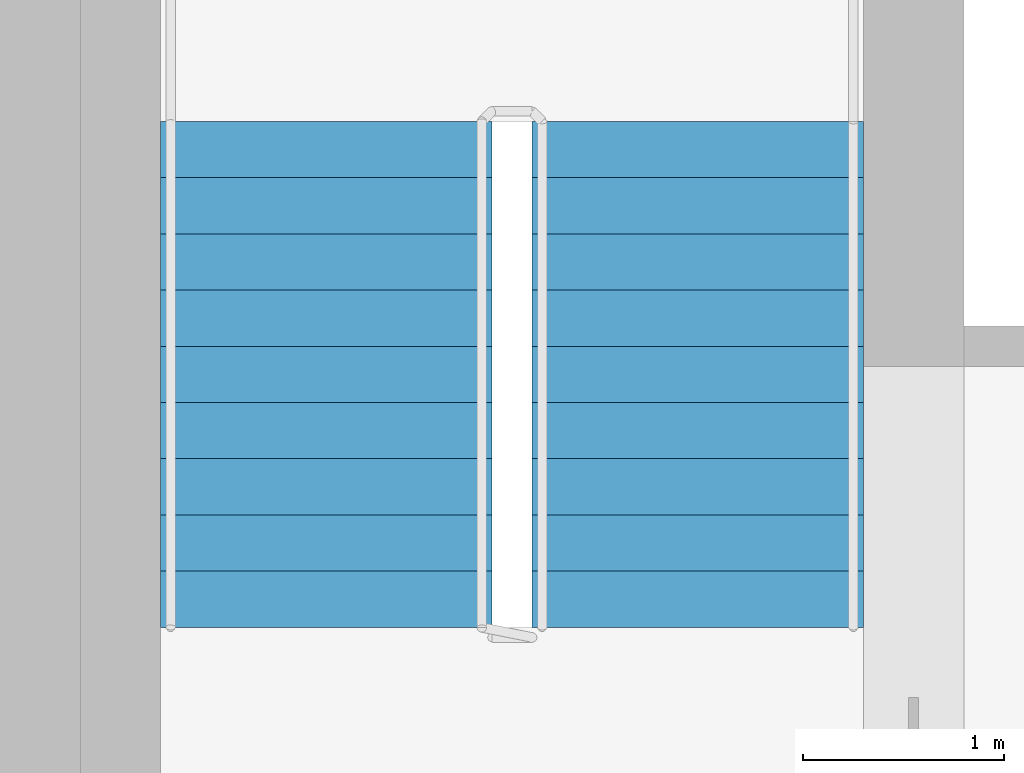
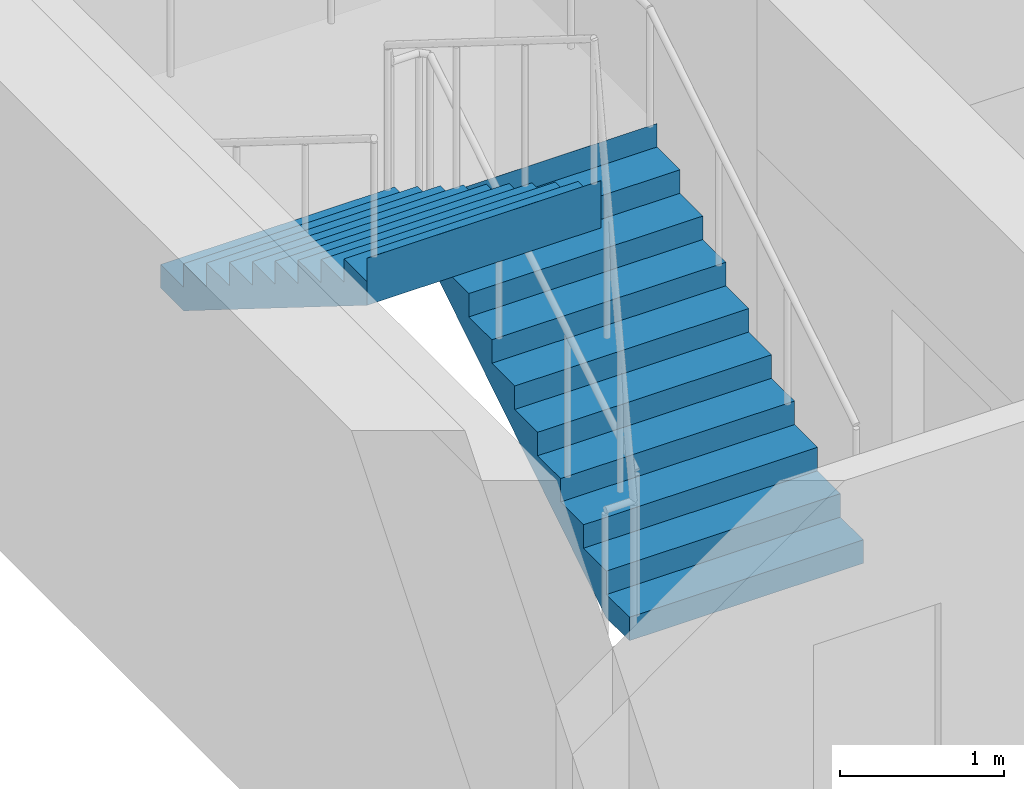
# One storey, part 9 of 10: 2 stair flights, 1 element without a shape of its own.
"""IFC4 building model written with IfcOpenShell, lengths in metres."""

from ifc_helpers import new_model, si_unit, direction, frame, origin, place, context, subcontext, project, spatial, polyline, outline, extrude, material, type_object, element, aggregate, save


model = new_model("IFC4")

# Units and contexts
model_context = context("Model", 3, precision=1e-05, world=origin(), true_north=direction((0.0, 1.0)))
body_context = subcontext(model_context, "Body", "Model", "MODEL_VIEW")
ifc_project = project(units=[si_unit("LENGTHUNIT", "METRE"), si_unit("AREAUNIT", "SQUARE_METRE"), si_unit("VOLUMEUNIT", "CUBIC_METRE"), si_unit("PLANEANGLEUNIT", "RADIAN"), si_unit("MASSUNIT", "GRAM", prefix="KILO")], contexts=[model_context])

# Site, building, storey
site_placement = place(None, origin())
site = spatial("IfcSite", under=ifc_project, at=site_placement, CompositionType="ELEMENT")
building_placement = place(site_placement, origin())
building = spatial("IfcBuilding", under=site, at=building_placement, Name="Tamorin Gate", CompositionType="ELEMENT")
storey_placement = place(building_placement, frame((0.0, 0.0, 273.199951171875)))
storey = spatial("IfcBuildingStorey", under=building, at=storey_placement, Name="L68", CompositionType="ELEMENT", Elevation=273.199951171875)

# Stair, stair flights
ifc_material = material(Name="Concrete C40/50", Category="concrete")
stair_type = type_object("IfcStairType", Name="Exit stair", PredefinedType="HALF_TURN_STAIR", material=ifc_material)
stair_placement = place(storey_placement, origin())
stair = element("IfcStair", 1, at=stair_placement, inside=storey, type_object=stair_type, Name="L68 stair ST2", PredefinedType="HALF_TURN_STAIR")
stair_flight_type = type_object("IfcStairFlightType", Name="Exit stair flight", PredefinedType="STRAIGHT", material=ifc_material)
stair_flight_1_placement = place(storey_placement, frame((33.675048828125, 77.0, 0.0), z_axis=(0.0, 0.0, 1.0), x_axis=(0.0, 1.0, 0.0)))
stair_flight_1 = element("IfcStairFlight", 2, at=stair_flight_1_placement, type_object=stair_flight_type, Name="ST2 flight 1", NumberOfRisers=10, NumberOfTreads=9, PredefinedType="STRAIGHT", RiserHeight=0.175, TreadLength=0.28, context=body_context, shape_type="SweptSolid", body=[
    extrude(outline(polyline([(-0.00048828125, 0.0), (-0.00048828125, 0.001708984375), (-0.00048828125, 0.00341796875), (-0.00048828125, 0.005126953125), (-0.00048828125, 0.0068359375), (-0.00048828125, 0.008544921875), (-0.00048828125, 0.010498046875), (-0.00048828125, 0.01220703125), (-0.00048828125, 0.013916015625), (-0.00048828125, 0.015625), (-0.00048828125, 0.017333984375), (-0.00048828125, 0.01904296875), (-0.00048828125, 0.020751953125), (-0.00048828125, 0.0224609375), (-0.00048828125, 0.024169921875), (-0.00048828125, 0.02587890625), (-0.00048828125, 0.02783203125), (-0.00048828125, 0.029541015625), (-0.00048828125, 0.03125), (-0.00048828125, 0.032958984375), (-0.00048828125, 0.03466796875), (-0.00048828125, 0.036376953125), (-0.00048828125, 0.0380859375), (-0.00048828125, 0.039794921875), (-0.00048828125, 0.04150390625), (-0.00048828125, 0.043212890625), (-0.00048828125, 0.045166015625), (-0.00048828125, 0.046875), (-0.00048828125, 0.048583984375), (-0.00048828125, 0.05029296875), (-0.00048828125, 0.052001953125), (-0.00048828125, 0.0537109375), (-0.00048828125, 0.055419921875), (-0.00048828125, 0.05712890625), (-0.00048828125, 0.058837890625), (-0.00048828125, 0.060546875), (-0.00048828125, 0.062255859375), (-0.00048828125, 0.064208984375), (-0.00048828125, 0.06591796875), (-0.00048828125, 0.067626953125), (-0.00048828125, 0.0693359375), (-0.00048828125, 0.071044921875), (-0.00048828125, 0.07275390625), (-0.00048828125, 0.074462890625), (-0.00048828125, 0.076171875), (-0.00048828125, 0.077880859375), (-0.00048828125, 0.07958984375), (-0.00048828125, 0.08154296875), (-0.00048828125, 0.083251953125), (-0.00048828125, 0.0849609375), (-0.00048828125, 0.086669921875), (-0.00048828125, 0.08837890625), (-0.00048828125, 0.090087890625), (-0.00048828125, 0.091796875), (-0.00048828125, 0.093505859375), (-0.00048828125, 0.09521484375), (-0.00048828125, 0.096923828125), (-0.00048828125, 0.098876953125), (-0.00048828125, 0.1005859375), (-0.00048828125, 0.102294921875), (-0.00048828125, 0.10400390625), (-0.00048828125, 0.105712890625), (-0.00048828125, 0.107421875), (-0.00048828125, 0.109130859375), (-0.00048828125, 0.11083984375), (-0.00048828125, 0.112548828125), (-0.00048828125, 0.1142578125), (-0.00048828125, 0.1162109375), (-0.00048828125, 0.117919921875), (-0.00048828125, 0.11962890625), (-0.00048828125, 0.121337890625), (-0.00048828125, 0.123046875), (-0.00048828125, 0.124755859375), (-0.00048828125, 0.12646484375), (-0.00048828125, 0.128173828125), (-0.00048828125, 0.1298828125), (-0.00048828125, 0.131591796875), (-0.00048828125, 0.13330078125), (-0.00048828125, 0.13525390625), (-0.00048828125, 0.136962890625), (-0.00048828125, 0.138671875), (-0.00048828125, 0.140380859375), (-0.00048828125, 0.14208984375), (-0.00048828125, 0.143798828125), (-0.00048828125, 0.1455078125), (-0.00048828125, 0.147216796875), (-0.00048828125, 0.14892578125), (-0.00048828125, 0.150634765625), (-0.00048828125, 0.152587890625), (-0.00048828125, 0.154296875), (-0.00048828125, 0.156005859375), (-0.00048828125, 0.15771484375), (-0.00048828125, 0.159423828125), (-0.00048828125, 0.1611328125), (-0.00048828125, 0.162841796875), (-0.00048828125, 0.16455078125), (-0.00048828125, 0.166259765625), (-0.00048828125, 0.16796875), (-0.00048828125, 0.169921875), (-0.00048828125, 0.171630859375), (-0.00048828125, 0.17333984375), (-0.00048828125, 0.175048828125), (0.280029296875, 0.175048828125), (0.280029296875, 0.35009765625), (0.56005859375, 0.35009765625), (0.56005859375, 0.52490234375), (0.840087890625, 0.52490234375), (0.840087890625, 0.699951171875), (1.1201171875, 0.699951171875), (1.1201171875, 0.875), (1.39990234375, 0.875), (1.39990234375, 1.050048828125), (1.679931640625, 1.050048828125), (1.679931640625, 1.22509765625), (1.9599609375, 1.22509765625), (1.9599609375, 1.39990234375), (2.239990234375, 1.39990234375), (2.239990234375, 1.574951171875), (2.52001953125, 1.574951171875), (2.52001953125, 1.75), (2.5205078125, 1.75), (2.5205078125, 1.74658203125), (2.5205078125, 1.742919921875), (2.5205078125, 1.739501953125), (2.5205078125, 1.736083984375), (2.5205078125, 1.732666015625), (2.5205078125, 1.72900390625), (2.5205078125, 1.7255859375), (2.5205078125, 1.72216796875), (2.5205078125, 1.71875), (2.5205078125, 1.715087890625), (2.5205078125, 1.711669921875), (2.5205078125, 1.708251953125), (2.5205078125, 1.704833984375), (2.5205078125, 1.701171875), (2.5205078125, 1.69775390625), (2.5205078125, 1.6943359375), (2.5205078125, 1.690673828125), (2.5205078125, 1.687255859375), (2.5205078125, 1.683837890625), (2.5205078125, 1.680419921875), (2.5205078125, 1.6767578125), (2.5205078125, 1.67333984375), (2.5205078125, 1.669921875), (2.5205078125, 1.66650390625), (2.5205078125, 1.662841796875), (2.5205078125, 1.659423828125), (2.5205078125, 1.656005859375), (2.5205078125, 1.652587890625), (2.5205078125, 1.64892578125), (2.5205078125, 1.6455078125), (2.5205078125, 1.64208984375), (2.5205078125, 1.638427734375), (2.5205078125, 1.635009765625), (2.5205078125, 1.631591796875), (2.5205078125, 1.628173828125), (2.5205078125, 1.62451171875), (2.5205078125, 1.62109375), (2.5205078125, 1.61767578125), (2.5205078125, 1.6142578125), (2.5205078125, 1.610595703125), (2.5205078125, 1.607177734375), (2.5205078125, 1.603759765625), (2.5205078125, 1.600341796875), (2.5205078125, 1.5966796875), (2.5205078125, 1.59326171875), (2.5205078125, 1.58984375), (2.5205078125, 1.58642578125), (2.5205078125, 1.582763671875), (2.5205078125, 1.579345703125), (2.5205078125, 1.575927734375), (2.5205078125, 1.572265625), (2.5205078125, 1.56884765625), (2.5205078125, 1.5654296875), (2.5205078125, 1.56201171875), (2.5205078125, 1.558349609375), (2.5205078125, 1.554931640625), (2.5205078125, 1.551513671875), (2.5205078125, 1.548095703125), (2.5205078125, 1.54443359375), (2.5205078125, 1.541015625), (2.5205078125, 1.53759765625), (2.5205078125, 1.5341796875), (2.5205078125, 1.530517578125), (2.5205078125, 1.527099609375), (2.5205078125, 1.523681640625), (2.5205078125, 1.52001953125), (2.5205078125, 1.5166015625), (2.5205078125, 1.51318359375), (2.5205078125, 1.509765625), (2.5205078125, 1.506103515625), (2.5205078125, 1.502685546875), (2.5205078125, 1.499267578125), (2.5205078125, 1.495849609375), (2.5205078125, 1.4921875), (2.5205078125, 1.48876953125), (2.5205078125, 1.4853515625), (2.5205078125, 1.48193359375), (2.5205078125, 1.478271484375), (2.5205078125, 1.474853515625), (2.5205078125, 1.471435546875), (2.5205078125, 1.4677734375), (2.5205078125, 1.46435546875), (2.5205078125, 1.4609375), (2.5205078125, 1.45751953125), (2.5205078125, 1.453857421875), (2.5205078125, 1.450439453125), (2.5205078125, 1.447021484375), (2.5205078125, 1.443603515625), (2.5205078125, 1.43994140625), (2.5205078125, 1.4365234375), (2.5205078125, 1.43310546875), (2.5205078125, 1.4296875), (2.5205078125, 1.426025390625), (2.5205078125, 1.422607421875), (2.5205078125, 1.419189453125), (2.5205078125, 1.41552734375), (2.5205078125, 1.412109375), (2.5205078125, 1.40869140625), (2.5205078125, 1.4052734375), (2.5205078125, 1.401611328125), (2.5205078125, 1.398193359375), (2.52001953125, 1.398193359375), (0.28271484375, 0.0), (-0.00048828125, 0.0)])), frame((0.0, 0.824951171875, 0.0), z_axis=(0.0, -1.0, 0.0), x_axis=(1.0, 0.0, 0.0)), (0.0, 0.0, 1.0), 1.64990234375),
])
stair_flight_2_placement = place(storey_placement, frame((31.824951171875, 79.52001953125, 1.75), z_axis=(0.0, 0.0, 1.0), x_axis=(0.0, -1.0, 0.0)))
stair_flight_2 = element("IfcStairFlight", 3, at=stair_flight_2_placement, type_object=stair_flight_type, Name="ST2 flight 2", NumberOfRisers=10, NumberOfTreads=9, PredefinedType="STRAIGHT", RiserHeight=0.175, TreadLength=0.28, context=body_context, shape_type="SweptSolid", body=[
    extrude(outline(polyline([(-0.00048828125, 0.0), (-0.00048828125, 0.001708984375), (-0.00048828125, 0.00341796875), (-0.00048828125, 0.005126953125), (-0.00048828125, 0.0068359375), (-0.00048828125, 0.008544921875), (-0.00048828125, 0.010498046875), (-0.00048828125, 0.01220703125), (-0.00048828125, 0.013916015625), (-0.00048828125, 0.015625), (-0.00048828125, 0.017333984375), (-0.00048828125, 0.01904296875), (-0.00048828125, 0.020751953125), (-0.00048828125, 0.0224609375), (-0.00048828125, 0.024169921875), (-0.00048828125, 0.02587890625), (-0.00048828125, 0.02783203125), (-0.00048828125, 0.029541015625), (-0.00048828125, 0.03125), (-0.00048828125, 0.032958984375), (-0.00048828125, 0.03466796875), (-0.00048828125, 0.036376953125), (-0.00048828125, 0.0380859375), (-0.00048828125, 0.039794921875), (-0.00048828125, 0.04150390625), (-0.00048828125, 0.043212890625), (-0.00048828125, 0.045166015625), (-0.00048828125, 0.046875), (-0.00048828125, 0.048583984375), (-0.00048828125, 0.05029296875), (-0.00048828125, 0.052001953125), (-0.00048828125, 0.0537109375), (-0.00048828125, 0.055419921875), (-0.00048828125, 0.05712890625), (-0.00048828125, 0.058837890625), (-0.00048828125, 0.060546875), (-0.00048828125, 0.062255859375), (-0.00048828125, 0.064208984375), (-0.00048828125, 0.06591796875), (-0.00048828125, 0.067626953125), (-0.00048828125, 0.0693359375), (-0.00048828125, 0.071044921875), (-0.00048828125, 0.07275390625), (-0.00048828125, 0.074462890625), (-0.00048828125, 0.076171875), (-0.00048828125, 0.077880859375), (-0.00048828125, 0.07958984375), (-0.00048828125, 0.08154296875), (-0.00048828125, 0.083251953125), (-0.00048828125, 0.0849609375), (-0.00048828125, 0.086669921875), (-0.00048828125, 0.08837890625), (-0.00048828125, 0.090087890625), (-0.00048828125, 0.091796875), (-0.00048828125, 0.093505859375), (-0.00048828125, 0.09521484375), (-0.00048828125, 0.096923828125), (-0.00048828125, 0.098876953125), (-0.00048828125, 0.1005859375), (-0.00048828125, 0.102294921875), (-0.00048828125, 0.10400390625), (-0.00048828125, 0.105712890625), (-0.00048828125, 0.107421875), (-0.00048828125, 0.109130859375), (-0.00048828125, 0.11083984375), (-0.00048828125, 0.112548828125), (-0.00048828125, 0.1142578125), (-0.00048828125, 0.1162109375), (-0.00048828125, 0.117919921875), (-0.00048828125, 0.11962890625), (-0.00048828125, 0.121337890625), (-0.00048828125, 0.123046875), (-0.00048828125, 0.124755859375), (-0.00048828125, 0.12646484375), (-0.00048828125, 0.128173828125), (-0.00048828125, 0.1298828125), (-0.00048828125, 0.131591796875), (-0.00048828125, 0.13330078125), (-0.00048828125, 0.13525390625), (-0.00048828125, 0.136962890625), (-0.00048828125, 0.138671875), (-0.00048828125, 0.140380859375), (-0.00048828125, 0.14208984375), (-0.00048828125, 0.143798828125), (-0.00048828125, 0.1455078125), (-0.00048828125, 0.147216796875), (-0.00048828125, 0.14892578125), (-0.00048828125, 0.150634765625), (-0.00048828125, 0.152587890625), (-0.00048828125, 0.154296875), (-0.00048828125, 0.156005859375), (-0.00048828125, 0.15771484375), (-0.00048828125, 0.159423828125), (-0.00048828125, 0.1611328125), (-0.00048828125, 0.162841796875), (-0.00048828125, 0.16455078125), (-0.00048828125, 0.166259765625), (-0.00048828125, 0.16796875), (-0.00048828125, 0.169921875), (-0.00048828125, 0.171630859375), (-0.00048828125, 0.17333984375), (-0.00048828125, 0.175048828125), (0.280029296875, 0.175048828125), (0.280029296875, 0.35009765625), (0.56005859375, 0.35009765625), (0.56005859375, 0.52490234375), (0.840087890625, 0.52490234375), (0.840087890625, 0.699951171875), (1.1201171875, 0.699951171875), (1.1201171875, 0.875), (1.39990234375, 0.875), (1.39990234375, 1.050048828125), (1.679931640625, 1.050048828125), (1.679931640625, 1.22509765625), (1.9599609375, 1.22509765625), (1.9599609375, 1.39990234375), (2.239990234375, 1.39990234375), (2.239990234375, 1.574951171875), (2.52001953125, 1.574951171875), (2.52001953125, 1.75), (2.5205078125, 1.75), (2.5205078125, 1.74658203125), (2.5205078125, 1.742919921875), (2.5205078125, 1.739501953125), (2.5205078125, 1.736083984375), (2.5205078125, 1.732666015625), (2.5205078125, 1.72900390625), (2.5205078125, 1.7255859375), (2.5205078125, 1.72216796875), (2.5205078125, 1.71875), (2.5205078125, 1.715087890625), (2.5205078125, 1.711669921875), (2.5205078125, 1.708251953125), (2.5205078125, 1.704833984375), (2.5205078125, 1.701171875), (2.5205078125, 1.69775390625), (2.5205078125, 1.6943359375), (2.5205078125, 1.690673828125), (2.5205078125, 1.687255859375), (2.5205078125, 1.683837890625), (2.5205078125, 1.680419921875), (2.5205078125, 1.6767578125), (2.5205078125, 1.67333984375), (2.5205078125, 1.669921875), (2.5205078125, 1.66650390625), (2.5205078125, 1.662841796875), (2.5205078125, 1.659423828125), (2.5205078125, 1.656005859375), (2.5205078125, 1.652587890625), (2.5205078125, 1.64892578125), (2.5205078125, 1.6455078125), (2.5205078125, 1.64208984375), (2.5205078125, 1.638427734375), (2.5205078125, 1.635009765625), (2.5205078125, 1.631591796875), (2.5205078125, 1.628173828125), (2.5205078125, 1.62451171875), (2.5205078125, 1.62109375), (2.5205078125, 1.61767578125), (2.5205078125, 1.6142578125), (2.5205078125, 1.610595703125), (2.5205078125, 1.607177734375), (2.5205078125, 1.603759765625), (2.5205078125, 1.600341796875), (2.5205078125, 1.5966796875), (2.5205078125, 1.59326171875), (2.5205078125, 1.58984375), (2.5205078125, 1.58642578125), (2.5205078125, 1.582763671875), (2.5205078125, 1.579345703125), (2.5205078125, 1.575927734375), (2.5205078125, 1.572265625), (2.5205078125, 1.56884765625), (2.5205078125, 1.5654296875), (2.5205078125, 1.56201171875), (2.5205078125, 1.558349609375), (2.5205078125, 1.554931640625), (2.5205078125, 1.551513671875), (2.5205078125, 1.548095703125), (2.5205078125, 1.54443359375), (2.5205078125, 1.541015625), (2.5205078125, 1.53759765625), (2.5205078125, 1.5341796875), (2.5205078125, 1.530517578125), (2.5205078125, 1.527099609375), (2.5205078125, 1.523681640625), (2.5205078125, 1.52001953125), (2.5205078125, 1.5166015625), (2.5205078125, 1.51318359375), (2.5205078125, 1.509765625), (2.5205078125, 1.506103515625), (2.5205078125, 1.502685546875), (2.5205078125, 1.499267578125), (2.5205078125, 1.495849609375), (2.5205078125, 1.4921875), (2.5205078125, 1.48876953125), (2.5205078125, 1.4853515625), (2.5205078125, 1.48193359375), (2.5205078125, 1.478271484375), (2.5205078125, 1.474853515625), (2.5205078125, 1.471435546875), (2.5205078125, 1.4677734375), (2.5205078125, 1.46435546875), (2.5205078125, 1.4609375), (2.5205078125, 1.45751953125), (2.5205078125, 1.453857421875), (2.5205078125, 1.450439453125), (2.5205078125, 1.447021484375), (2.5205078125, 1.443603515625), (2.5205078125, 1.43994140625), (2.5205078125, 1.4365234375), (2.5205078125, 1.43310546875), (2.5205078125, 1.4296875), (2.5205078125, 1.426025390625), (2.5205078125, 1.422607421875), (2.5205078125, 1.419189453125), (2.5205078125, 1.41552734375), (2.5205078125, 1.412109375), (2.5205078125, 1.40869140625), (2.5205078125, 1.4052734375), (2.5205078125, 1.401611328125), (2.5205078125, 1.398193359375), (2.52001953125, 1.398193359375), (0.28271484375, 0.0), (-0.00048828125, 0.0)])), frame((0.0, 0.824951171875, 0.0), z_axis=(0.0, -1.0, 0.0), x_axis=(1.0, 0.0, 0.0)), (0.0, 0.0, 1.0), 1.64990234375),
])
aggregate(stair, [stair_flight_1, stair_flight_2])

save(model, "model.ifc")
